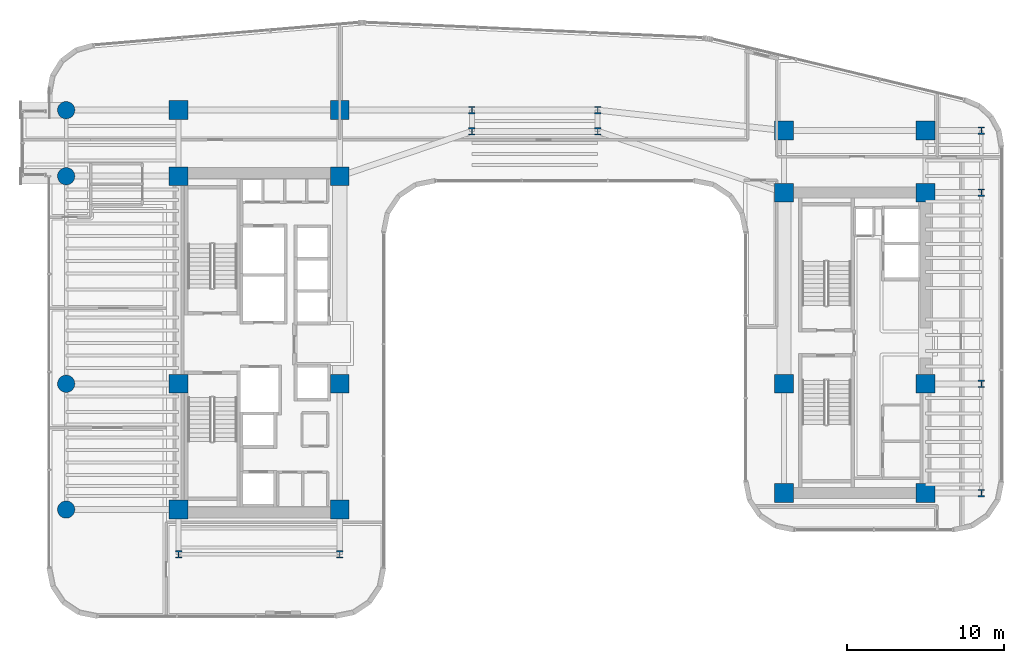
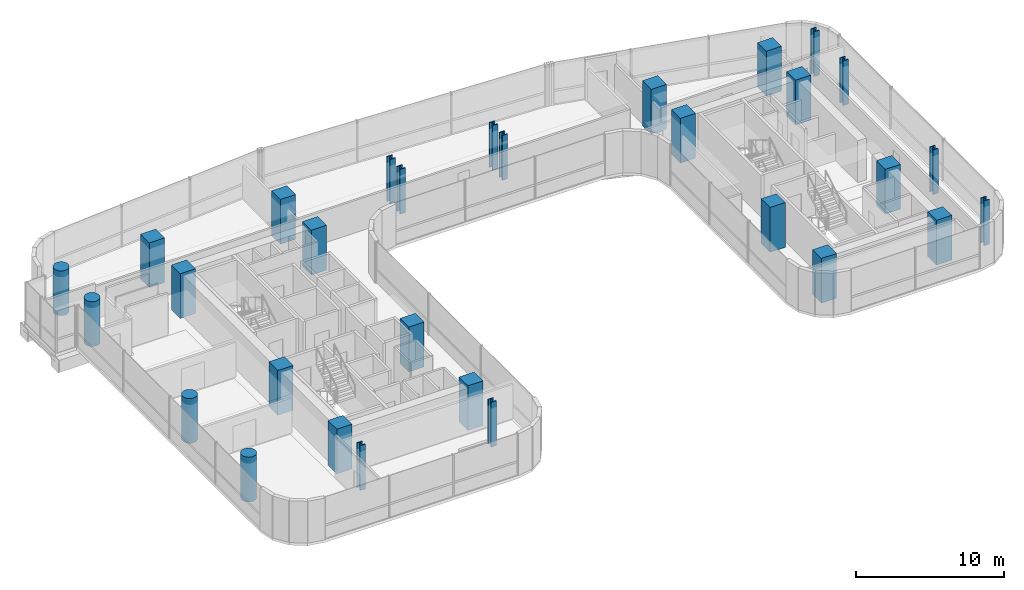
# One storey, part 1 of 35: 30 columns.
"""IFC4 building model written with IfcOpenShell, lengths in metres."""

from ifc_helpers import new_model, si_unit, direction, frame, origin, origin_2d, place, context, subcontext, project, spatial, rectangle, circle, i_section, extrude, source, transform, mapped, material, material_profile, profile_set, type_object, element, save


model = new_model("IFC4")

# Units and contexts
model_context = context("Model", 3, precision=1e-05, world=origin(), true_north=direction((0.0, 1.0)))
body_context = subcontext(model_context, "Body", "Model", "MODEL_VIEW")
ifc_project = project(units=[si_unit("LENGTHUNIT", "METRE"), si_unit("AREAUNIT", "SQUARE_METRE"), si_unit("VOLUMEUNIT", "CUBIC_METRE"), si_unit("PLANEANGLEUNIT", "RADIAN"), si_unit("MASSUNIT", "GRAM", prefix="KILO")], contexts=[model_context])

# Site, building, storey
site_placement = place(None, origin())
site = spatial("IfcSite", under=ifc_project, at=site_placement, CompositionType="ELEMENT")
building_placement = place(site_placement, origin())
building = spatial("IfcBuilding", under=site, at=building_placement, Name="Valdorenza Pilgrim Sanctuary Tower", CompositionType="ELEMENT")
storey_placement = place(building_placement, frame((0.0, 0.0, 124.199951171875)))
storey = spatial("IfcBuildingStorey", under=building, at=storey_placement, Name="L31", CompositionType="ELEMENT", Elevation=124.199951171875)

# Columns
ifc_material_1 = material(Name="Concrete C50/60", Category="concrete")
ifc_material_profile_1 = material_profile(ifc_material_1, circle(Radius=0.550048828125, at=origin_2d()), Name="RC D1100")
ifc_profile_set_1 = profile_set([ifc_material_profile_1], Name="Concrete C50/60")
column_type_1 = type_object("IfcColumnType", Name="COL-RND-1100", PredefinedType="COLUMN", material=ifc_profile_set_1)
shared_shape_1 = source(origin(), body_context, "Body", "SweptSolid", [
    extrude(circle(Radius=0.550048828125, at=origin_2d()), origin(), (0.0, 0.0, 1.0), 3.699951171875),
])
for number, where, z_axis, x_axis, name in (
    (1, (-29.800048828125, -10.60009765625, 0.0), (0.0, 0.0, 1.0), (1.0, 0.0, 0.0), "L31 Perimeter Column WA-W-S1"),
    (2, (-29.800048828125, -2.60009765625, 0.0), (0.0, 0.0, 1.0), (1.0, 0.0, 0.0), "L31 Perimeter Column WA-W-M0"),
    (3, (-29.800048828125, 10.60009765625, 0.0), (0.0, 0.0, 1.0), (1.0, 0.0, 0.0), "L31 Perimeter Column WA-W-N1"),
    (4, (-29.800048828125, 14.800048828125, 0.0), (0.0, 0.0, 1.0), (1.0, 0.0, 0.0), "L31 Perimeter Column WA-W-N2"),
):
    element("IfcColumn", number, at=place(storey_placement, frame(where, z_axis=z_axis, x_axis=x_axis)), inside=storey, type_object=column_type_1, Name=name, PredefinedType="COLUMN", context=body_context, shape_type="MappedRepresentation", body=[
        mapped(shared_shape_1, transform((0.0, 0.0, 0.0), x_axis=(1.0, 0.0, 0.0), y_axis=(0.0, 1.0, 0.0), z_axis=(0.0, 0.0, 1.0), scale=1.0)),
    ])
ifc_material_2 = material(Name="Concrete C60/75", Category="concrete")
ifc_material_profile_2 = material_profile(ifc_material_2, rectangle(XDim=1.199951171875, YDim=1.199951171875, at=origin_2d()), Name="RC 1200x1200")
ifc_profile_set_2 = profile_set([ifc_material_profile_2], Name="Concrete C60/75")
column_type_2 = type_object("IfcColumnType", Name="COL-Z2-1200", PredefinedType="COLUMN", material=ifc_profile_set_2)
shared_shape_2 = source(origin(), body_context, "Body", "SweptSolid", [
    extrude(rectangle(XDim=1.199951171875, YDim=1.199951171875, at=origin_2d()), origin(), (0.0, 0.0, 1.0), 3.699951171875),
])
for number, where, z_axis, x_axis, name in (
    (5, (-22.64990234375, -10.60009765625, 0.0), (0.0, 0.0, 1.0), (1.0, 0.0, 0.0), "L31 Column CA-W-S1"),
    (6, (-12.39990234375, -10.60009765625, 0.0), (0.0, 0.0, 1.0), (1.0, 0.0, 0.0), "L31 Column CA-E-S1"),
    (7, (-22.64990234375, -2.60009765625, 0.0), (0.0, 0.0, 1.0), (1.0, 0.0, 0.0), "L31 Column CA-W-M0"),
    (8, (-12.39990234375, -2.60009765625, 0.0), (0.0, 0.0, 1.0), (1.0, 0.0, 0.0), "L31 Column CA-E-M0"),
    (9, (-22.64990234375, 10.60009765625, 0.0), (0.0, 0.0, 1.0), (1.0, 0.0, 0.0), "L31 Column CA-W-N1"),
    (10, (-12.39990234375, 10.60009765625, 0.0), (0.0, 0.0, 1.0), (1.0, 0.0, 0.0), "L31 Column CA-E-N1"),
    (11, (-22.64990234375, 14.800048828125, 0.0), (0.0, 0.0, 1.0), (1.0, 0.0, 0.0), "L31 Column CA-W-N2"),
    (12, (-12.39990234375, 14.800048828125, 0.0), (0.0, 0.0, 1.0), (1.0, 0.0, 0.0), "L31 Column CA-E-N2"),
    (13, (15.85009765625, -9.550048828125, 0.0), (0.0, 0.0, 1.0), (1.0, 0.0, 0.0), "L31 Column CB-W-S1"),
    (14, (24.85009765625, -9.550048828125, 0.0), (0.0, 0.0, 1.0), (1.0, 0.0, 0.0), "L31 Column CB-E-S1"),
    (15, (15.85009765625, -2.60009765625, 0.0), (0.0, 0.0, 1.0), (1.0, 0.0, 0.0), "L31 Column CB-W-M0"),
    (16, (24.85009765625, -2.60009765625, 0.0), (0.0, 0.0, 1.0), (1.0, 0.0, 0.0), "L31 Column CB-E-M0"),
    (17, (15.85009765625, 9.550048828125, 0.0), (0.0, 0.0, 1.0), (1.0, 0.0, 0.0), "L31 Column CB-W-N1"),
    (18, (24.85009765625, 9.550048828125, 0.0), (0.0, 0.0, 1.0), (1.0, 0.0, 0.0), "L31 Column CB-E-N1"),
    (19, (15.85009765625, 13.5, 0.0), (0.0, 0.0, 1.0), (1.0, 0.0, 0.0), "L31 Column CB-W-N2"),
    (20, (24.85009765625, 13.5, 0.0), (0.0, 0.0, 1.0), (1.0, 0.0, 0.0), "L31 Column CB-E-N2"),
):
    element("IfcColumn", number, at=place(storey_placement, frame(where, z_axis=z_axis, x_axis=x_axis)), inside=storey, type_object=column_type_2, Name=name, PredefinedType="COLUMN", context=body_context, shape_type="MappedRepresentation", body=[
        mapped(shared_shape_2, transform((0.0, 0.0, 0.0), x_axis=(1.0, 0.0, 0.0), y_axis=(0.0, 1.0, 0.0), z_axis=(0.0, 0.0, 1.0), scale=1.0)),
    ])
ifc_material_3 = material(Name="Steel ASTM A992 Grade 50", Category="steel")
ifc_material_profile_3 = material_profile(ifc_material_3, i_section(OverallWidth=0.424072265625, OverallDepth=0.47412109375, WebThickness=0.047607421875, FlangeThickness=0.0771484375, at=origin_2d()), Name="W14X426")
ifc_profile_set_3 = profile_set([ifc_material_profile_3], Name="Steel ASTM A992 Grade 50")
column_type_3 = type_object("IfcColumnType", Name="COL-STL-W426", PredefinedType="COLUMN", material=ifc_profile_set_3)
shared_shape_3 = source(origin(), body_context, "Body", "SweptSolid", [
    extrude(i_section(OverallWidth=0.424072265625, OverallDepth=0.47412109375, WebThickness=0.047607421875, FlangeThickness=0.0771484375, at=origin_2d()), origin(), (0.0, 0.0, 1.0), 3.699951171875),
])
for number, where, z_axis, x_axis, name in (
    (21, (-22.64990234375, -13.449951171875, 0.0), (0.0, 0.0, 1.0), (1.0, 0.0, 0.0), "L31 Column WA-S-W"),
    (22, (-12.39990234375, -13.449951171875, 0.0), (0.0, 0.0, 1.0), (1.0, 0.0, 0.0), "L31 Column WA-S-E"),
    (23, (28.39990234375, -9.550048828125, 0.0), (0.0, 0.0, 1.0), (1.0, 0.0, 0.0), "L31 Perimeter Column WB-E-S1"),
    (24, (28.39990234375, -2.60009765625, 0.0), (0.0, 0.0, 1.0), (1.0, 0.0, 0.0), "L31 Perimeter Column WB-E-M0"),
    (25, (28.39990234375, 9.550048828125, 0.0), (0.0, 0.0, 1.0), (1.0, 0.0, 0.0), "L31 Perimeter Column WB-E-N1"),
    (26, (28.39990234375, 13.5, 0.0), (0.0, 0.0, 1.0), (1.0, 0.0, 0.0), "L31 Perimeter Column WB-E-N2"),
    (27, (-4.0, 13.449951171875, 0.0), (0.0, 0.0, 1.0), (1.0, 0.0, 0.0), "L31 Column KNK-W1"),
    (28, (-4.0, 14.800048828125, 0.0), (0.0, 0.0, 1.0), (1.0, 0.0, 0.0), "L31 Column KNK-W2"),
    (29, (4.0, 13.449951171875, 0.0), (0.0, 0.0, 1.0), (1.0, 0.0, 0.0), "L31 Column KNK-E1"),
    (30, (4.0, 14.800048828125, 0.0), (0.0, 0.0, 1.0), (1.0, 0.0, 0.0), "L31 Column KNK-E2"),
):
    element("IfcColumn", number, at=place(storey_placement, frame(where, z_axis=z_axis, x_axis=x_axis)), inside=storey, type_object=column_type_3, Name=name, PredefinedType="COLUMN", context=body_context, shape_type="MappedRepresentation", body=[
        mapped(shared_shape_3, transform((0.0, 0.0, 0.0), x_axis=(1.0, 0.0, 0.0), y_axis=(0.0, 1.0, 0.0), z_axis=(0.0, 0.0, 1.0), scale=1.0)),
    ])

save(model, "model.ifc")
